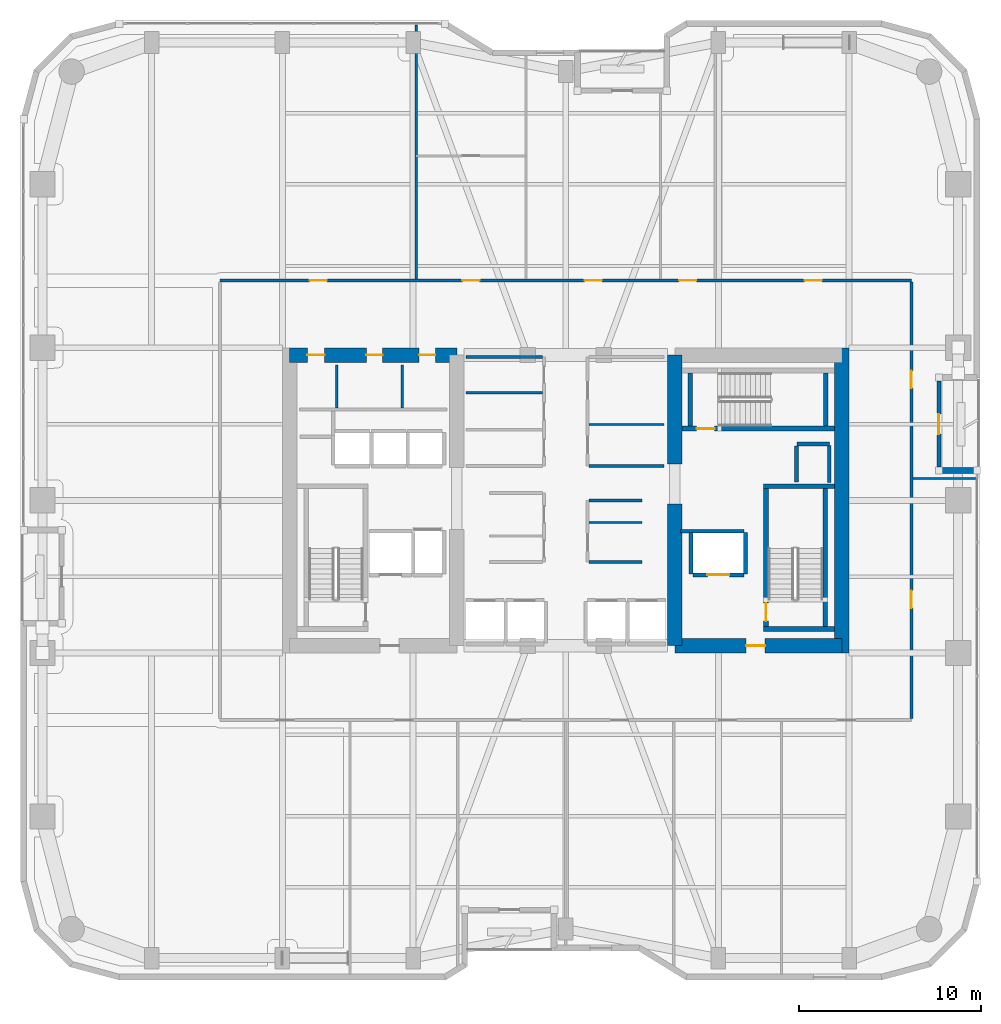
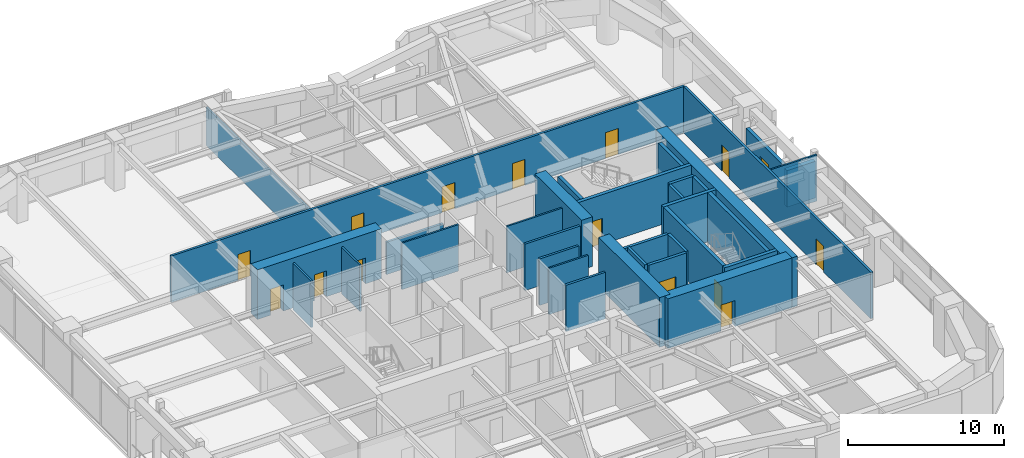
# One storey, part 20 of 24: 34 walls, 15 doors, 15 openings.
"""IFC4 building model written with IfcOpenShell, lengths in metres."""

from ifc_helpers import new_model, si_unit, direction, frame, frame_2d, origin, place, context, subcontext, project, spatial, rectangle, extrude, material, layer, layer_set, type_object, element, fill, save


model = new_model("IFC4")

# Units and contexts
model_context = context("Model", 3, precision=1e-05, world=origin(), true_north=direction((0.0, 1.0)))
body_context = subcontext(model_context, "Body", "Model", "MODEL_VIEW")
ifc_project = project(units=[si_unit("LENGTHUNIT", "METRE"), si_unit("AREAUNIT", "SQUARE_METRE"), si_unit("VOLUMEUNIT", "CUBIC_METRE"), si_unit("PLANEANGLEUNIT", "RADIAN"), si_unit("MASSUNIT", "GRAM", prefix="KILO")], contexts=[model_context])

# Site, building, storey
site_placement = place(None, origin())
site = spatial("IfcSite", under=ifc_project, at=site_placement, CompositionType="ELEMENT")
building_placement = place(site_placement, origin())
building = spatial("IfcBuilding", under=site, at=building_placement, Name="Kiyonajd Concourse Tower", CompositionType="ELEMENT")
storey_placement = place(building_placement, frame((0.0, 0.0, 105.300048828125)))
storey = spatial("IfcBuildingStorey", under=building, at=storey_placement, Name="L27", CompositionType="ELEMENT", Elevation=105.300048828125)

# Wall, openings, doors
ifc_material_1 = material(Name="Concrete C70/85", Category="concrete")
ifc_layer_1 = layer(ifc_material_1, 0.800048828125)
ifc_layer_set_1 = layer_set([ifc_layer_1], Name="Concrete C70/85")
wall_type_1 = type_object("IfcWallType", Name="WL-CORE-800", PredefinedType="SHEAR", material=ifc_layer_set_1)
wall_1_placement = place(storey_placement, frame((32.800048828125, 44.0, 0.0), z_axis=(0.0, 0.0, 1.0), x_axis=(1.0, 0.0, 0.0)))
wall_1 = element("IfcWall", 1, at=wall_1_placement, inside=storey, type_object=wall_type_1, Name="L27 West Core North Shear Wall", PredefinedType="SHEAR", context=body_context, shape_type="SweptSolid", body=[
    extrude(rectangle(XDim=9.199951171875, YDim=0.800048828125, at=frame_2d((4.60009765625, 0.0))), origin(), (0.0, 0.0, 1.0), 3.89990234375),
])
opening_1_placement = place(wall_1_placement, frame((0.97509765625, 0.0, 0.0)))
opening_1 = element("IfcOpeningElement", 2, at=opening_1_placement, cuts=wall_1, Name="Opening DI1", PredefinedType="OPENING", context=body_context, shape_type="SweptSolid", body=[
    extrude(rectangle(XDim=0.949951171875, YDim=2.0400390625, at=frame_2d((0.47509765625, 1.02001953125))), frame((0.0, 0.409912109375, 0.0), z_axis=(0.0, -1.0, 0.0), x_axis=(1.0, 0.0, 0.0)), (0.0, 0.0, 1.0), 0.820068359375),
])
opening_2_placement = place(wall_1_placement, frame((4.22509765625, 0.0, 0.0)))
opening_2 = element("IfcOpeningElement", 3, at=opening_2_placement, cuts=wall_1, Name="Opening DI2", PredefinedType="OPENING", context=body_context, shape_type="SweptSolid", body=[
    extrude(rectangle(XDim=0.89990234375, YDim=2.02001953125, at=frame_2d((0.449951171875, 1.010009765625))), frame((0.0, 0.409912109375, 0.0), z_axis=(0.0, -1.0, 0.0), x_axis=(1.0, 0.0, 0.0)), (0.0, 0.0, 1.0), 0.820068359375),
])
opening_3_placement = place(wall_1_placement, frame((7.125, 0.0, 0.0)))
opening_3 = element("IfcOpeningElement", 4, at=opening_3_placement, cuts=wall_1, Name="Opening DI2", PredefinedType="OPENING", context=body_context, shape_type="SweptSolid", body=[
    extrude(rectangle(XDim=0.89990234375, YDim=2.02001953125, at=frame_2d((0.449951171875, 1.010009765625))), frame((0.0, 0.409912109375, 0.0), z_axis=(0.0, -1.0, 0.0), x_axis=(1.0, 0.0, 0.0)), (0.0, 0.0, 1.0), 0.820068359375),
])
ifc_material_2 = material(Name="Natural Oak Acoustic Timber Veneer", Category="wood")
door_type_1 = type_object("IfcDoorType", Name="DR-INT-900", OperationType="NOTDEFINED", PredefinedType="DOOR", material=ifc_material_2)
door_1_placement = place(opening_2_placement, origin())
door_1 = element("IfcDoor", 5, at=door_1_placement, inside=storey, type_object=door_type_1, Name="L27 Male Restroom Door", OperationType="SINGLE_SWING_RIGHT", OverallHeight=2.02001953125, OverallWidth=0.89990234375, PredefinedType="DOOR", context=body_context, shape_type="SweptSolid", body=[
    extrude(rectangle(XDim=0.89990234375, YDim=2.02001953125, at=frame_2d((0.449951171875, 1.010009765625))), frame((0.0, 0.02490234375, 0.0), z_axis=(0.0, -1.0, 0.0), x_axis=(1.0, 0.0, 0.0)), (0.0, 0.0, 1.0), 0.050048828125),
])
fill(opening_2, door_1)
door_2_placement = place(opening_3_placement, origin())
door_2 = element("IfcDoor", 6, at=door_2_placement, inside=storey, type_object=door_type_1, Name="L27 Female Restroom Door", OperationType="SINGLE_SWING_LEFT", OverallHeight=2.02001953125, OverallWidth=0.89990234375, PredefinedType="DOOR", context=body_context, shape_type="SweptSolid", body=[
    extrude(rectangle(XDim=0.89990234375, YDim=2.02001953125, at=frame_2d((0.449951171875, 1.010009765625))), frame((0.0, 0.02490234375, 0.0), z_axis=(0.0, -1.0, 0.0), x_axis=(1.0, 0.0, 0.0)), (0.0, 0.0, 1.0), 0.050048828125),
])
fill(opening_3, door_2)
door_type_2 = type_object("IfcDoorType", Name="DR-INT-950", OperationType="NOTDEFINED", PredefinedType="DOOR", material=ifc_material_2)
door_3_placement = place(opening_1_placement, origin())
door_3 = element("IfcDoor", 7, at=door_3_placement, inside=storey, type_object=door_type_2, Name="L27 Single User Accessible WC Door", OperationType="SINGLE_SWING_LEFT", OverallHeight=2.0400390625, OverallWidth=0.949951171875, PredefinedType="DOOR", context=body_context, shape_type="SweptSolid", body=[
    extrude(rectangle(XDim=0.949951171875, YDim=2.0400390625, at=frame_2d((0.47509765625, 1.02001953125))), frame((0.0, 0.02490234375, 0.0), z_axis=(0.0, -1.0, 0.0), x_axis=(1.0, 0.0, 0.0)), (0.0, 0.0, 1.0), 0.050048828125),
])
fill(opening_1, door_3)

# Walls
wall_2_placement = place(storey_placement, frame((54.0, 28.0, 0.0), z_axis=(0.0, 0.0, 1.0), x_axis=(0.0, 1.0, 0.0)))
element("IfcWall", 8, at=wall_2_placement, inside=storey, type_object=wall_type_1, Name="L27 East Core Inner South Shear Wall", PredefinedType="SHEAR", context=body_context, shape_type="SweptSolid", body=[
    extrude(rectangle(XDim=7.800048828125, YDim=0.800048828125, at=frame_2d((3.89990234375, 0.0))), origin(), (0.0, 0.0, 1.0), 3.89990234375),
])
wall_3_placement = place(storey_placement, frame((54.0, 38.0, 0.0), z_axis=(0.0, 0.0, 1.0), x_axis=(0.0, 1.0, 0.0)))
element("IfcWall", 9, at=wall_3_placement, inside=storey, type_object=wall_type_1, Name="L27 East Core Inner North Shear Wall", PredefinedType="SHEAR", context=body_context, shape_type="SweptSolid", body=[
    extrude(rectangle(XDim=6.0, YDim=0.800048828125, at=frame_2d((3.0, 0.0))), origin(), (0.0, 0.0, 1.0), 3.89990234375),
])
wall_4_placement = place(storey_placement, frame((63.199951171875, 27.60009765625, 0.0), z_axis=(0.0, 0.0, 1.0), x_axis=(0.0, 1.0, 0.0)))
element("IfcWall", 10, at=wall_4_placement, inside=storey, type_object=wall_type_1, Name="L27 East Core Outer Shear Wall", PredefinedType="SHEAR", context=body_context, shape_type="SweptSolid", body=[
    extrude(rectangle(XDim=16.7998046875, YDim=0.800048828125, at=frame_2d((8.39990234375, 0.0))), origin(), (0.0, 0.0, 1.0), 3.89990234375),
])

# Wall, opening, door
wall_5_placement = place(storey_placement, frame((54.0, 28.0, 0.0), z_axis=(0.0, 0.0, 1.0), x_axis=(1.0, 0.0, 0.0)))
wall_5 = element("IfcWall", 11, at=wall_5_placement, inside=storey, type_object=wall_type_1, Name="L27 East Core South Shear Wall", PredefinedType="SHEAR", context=body_context, shape_type="SweptSolid", body=[
    extrude(rectangle(XDim=9.199951171875, YDim=0.800048828125, at=frame_2d((4.60009765625, 0.0))), origin(), (0.0, 0.0, 1.0), 3.89990234375),
])
opening_4_placement = place(wall_5_placement, frame((3.925048828125, 0.0, 0.0)))
opening_4 = element("IfcOpeningElement", 12, at=opening_4_placement, cuts=wall_5, Name="Opening DF5", PredefinedType="OPENING", context=body_context, shape_type="SweptSolid", body=[
    extrude(rectangle(XDim=1.050048828125, YDim=2.0400390625, at=frame_2d((0.52490234375, 1.02001953125))), frame((0.0, 0.409912109375, 0.0), z_axis=(0.0, -1.0, 0.0), x_axis=(1.0, 0.0, 0.0)), (0.0, 0.0, 1.0), 0.820068359375),
])
ifc_material_3 = material(Name="Brushed Stainless Steel Cab Assembly", Category="steel")
door_type_3 = type_object("IfcDoorType", Name="DR-FD45-1050", OperationType="NOTDEFINED", PredefinedType="DOOR", material=ifc_material_3)
door_4_placement = place(opening_4_placement, origin())
door_4 = element("IfcDoor", 13, at=door_4_placement, inside=storey, type_object=door_type_3, Name="L27 Firefighting Lift Lobby E Smoke Door", OperationType="SINGLE_SWING_RIGHT", OverallHeight=2.0400390625, OverallWidth=1.050048828125, PredefinedType="DOOR", context=body_context, shape_type="SweptSolid", body=[
    extrude(rectangle(XDim=1.050048828125, YDim=2.0400390625, at=frame_2d((0.52490234375, 1.02001953125))), frame((0.0, 0.02490234375, 0.0), z_axis=(0.0, -1.0, 0.0), x_axis=(1.0, 0.0, 0.0)), (0.0, 0.0, 1.0), 0.050048828125),
])
fill(opening_4, door_4)

# Wall
ifc_material_4 = material(Name="Precast concrete C50/60", Category="concrete")
ifc_layer_2 = layer(ifc_material_4, 0.320068359375)
ifc_layer_set_2 = layer_set([ifc_layer_2], Name="Precast concrete C50/60")
wall_type_2 = type_object("IfcWallType", Name="WL-EXT-320", PredefinedType="SOLIDWALL", material=ifc_layer_set_2)
wall_6_placement = place(storey_placement, frame((68.5400390625, 37.639892578125, 0.0), z_axis=(0.0, 0.0, 1.0), x_axis=(1.0, 0.0, 0.0)))
element("IfcWall", 14, at=wall_6_placement, inside=storey, type_object=wall_type_2, Name="L27 Exterior Concrete Frame Wall 23", PredefinedType="SOLIDWALL", context=body_context, shape_type="SweptSolid", body=[
    extrude(rectangle(XDim=2.099853515625, YDim=0.320068359375, at=frame_2d((1.0498046875, 0.0))), origin(), (0.0, 0.0, 1.0), 2.875),
])

# Wall, opening, door
ifc_layer_3 = layer(ifc_material_4, 0.239990234375)
ifc_layer_set_3 = layer_set([ifc_layer_3], Name="Precast concrete C50/60")
wall_type_3 = type_object("IfcWallType", Name="WL-LOG-240", PredefinedType="SOLIDWALL", material=ifc_layer_set_3)
wall_7_placement = place(storey_placement, frame((68.5400390625, 42.56494140625, 0.0), z_axis=(0.0, 0.0, 1.0), x_axis=(0.0, -1.0, 0.0)))
wall_7 = element("IfcWall", 15, at=wall_7_placement, inside=storey, type_object=wall_type_3, Name="L27 Recessed Loggia Thermal Wall LOG-E", PredefinedType="SOLIDWALL", context=body_context, shape_type="SweptSolid", body=[
    extrude(rectangle(XDim=4.72998046875, YDim=0.239990234375, at=frame_2d((2.364990234375, 0.0))), origin(), (0.0, 0.0, 1.0), 3.161865234375),
])
opening_5_placement = place(wall_7_placement, frame((1.81494140625, 0.0, 0.0)))
opening_5 = element("IfcOpeningElement", 16, at=opening_5_placement, cuts=wall_7, Name="Opening DL2", PredefinedType="OPENING", context=body_context, shape_type="SweptSolid", body=[
    extrude(rectangle(XDim=1.10009765625, YDim=2.0400390625, at=frame_2d((0.550048828125, 1.02001953125))), frame((0.0, 0.1298828125, 0.0), z_axis=(0.0, -1.0, 0.0), x_axis=(1.0, 0.0, 0.0)), (0.0, 0.0, 1.0), 0.260009765625),
])
ifc_material_5 = material(Name="Thermally Broken Anodised Aluminium", Category="aluminium")
door_type_4 = type_object("IfcDoorType", Name="DR-LOG-1100", OperationType="NOTDEFINED", PredefinedType="DOOR", material=ifc_material_5)
door_5_placement = place(opening_5_placement, origin())
door_5 = element("IfcDoor", 17, at=door_5_placement, inside=storey, type_object=door_type_4, Name="L27 Engawa Loggia Access Door LOG-E", OperationType="SINGLE_SWING_LEFT", OverallHeight=2.0400390625, OverallWidth=1.10009765625, PredefinedType="DOOR", context=body_context, shape_type="SweptSolid", body=[
    extrude(rectangle(XDim=1.10009765625, YDim=2.0400390625, at=frame_2d((0.550048828125, 1.02001953125))), frame((0.0, 0.02490234375, 0.0), z_axis=(0.0, -1.0, 0.0), x_axis=(1.0, 0.0, 0.0)), (0.0, 0.0, 1.0), 0.050048828125),
])
fill(opening_5, door_5)

# Walls
ifc_material_6 = material(Name="Gypsum Board on Cold-Formed Steel Stud", Category="steel")
ifc_layer_4 = layer(ifc_material_6, 0.125)
ifc_layer_set_4 = layer_set([ifc_layer_4], Name="Gypsum Board on Cold-Formed Steel Stud")
wall_type_4 = type_object("IfcWallType", Name="WL-PART-125", PredefinedType="PARTITIONING", material=ifc_layer_set_4)
for number, where, z_axis, x_axis, name in (
    (18, (35.39990234375, 41.094970703125, 0.0), (0.0, 0.0, 1.0), (0.0, 1.0, 0.0), "L27 Interior Partition Wall"),
    (19, (39.0, 41.094970703125, 0.0), (0.0, 0.0, 1.0), (0.0, 1.0, 0.0), "L27 Interior Partition Wall"),
):
    element("IfcWall", number, at=place(storey_placement, frame(where, z_axis=z_axis, x_axis=x_axis)), inside=storey, type_object=wall_type_4, Name=name, PredefinedType="PARTITIONING", context=body_context, shape_type="SweptSolid", body=[
        extrude(rectangle(XDim=2.35498046875, YDim=0.125, at=frame_2d((1.177490234375, 0.0))), origin(), (0.0, 0.0, 1.0), 3.639892578125),
    ])
wall_8_placement = place(storey_placement, frame((49.287109375, 34.77587890625, 0.0), z_axis=(0.0, 0.0, 1.0), x_axis=(1.0, 0.0, 0.0)))
element("IfcWall", 20, at=wall_8_placement, inside=storey, type_object=wall_type_4, Name="L27 Interior Partition Wall", PredefinedType="PARTITIONING", context=body_context, shape_type="SweptSolid", body=[
    extrude(rectangle(XDim=2.912841796875, YDim=0.125, at=frame_2d((1.45654296875, 0.0))), origin(), (0.0, 0.0, 1.0), 3.639892578125),
])
wall_9_placement = place(storey_placement, frame((42.5, 41.919921875, 0.0), z_axis=(0.0, 0.0, 1.0), x_axis=(1.0, 0.0, 0.0)))
element("IfcWall", 21, at=wall_9_placement, inside=storey, type_object=wall_type_4, Name="L27 Interior Partition Wall", PredefinedType="PARTITIONING", context=body_context, shape_type="SweptSolid", body=[
    extrude(rectangle(XDim=4.212890625, YDim=0.125, at=frame_2d((2.1064453125, 0.0))), origin(), (0.0, 0.0, 1.0), 3.639892578125),
])
wall_10_placement = place(storey_placement, frame((49.287109375, 40.179931640625, 0.0), z_axis=(0.0, 0.0, 1.0), x_axis=(1.0, 0.0, 0.0)))
element("IfcWall", 22, at=wall_10_placement, inside=storey, type_object=wall_type_4, Name="L27 Interior Partition Wall", PredefinedType="PARTITIONING", context=body_context, shape_type="SweptSolid", body=[
    extrude(rectangle(XDim=4.11279296875, YDim=0.125, at=frame_2d((2.056396484375, 0.0))), origin(), (0.0, 0.0, 1.0), 3.639892578125),
])
wall_11_placement = place(storey_placement, frame((39.77001953125, 48.18701171875, 0.0), z_axis=(0.0, 0.0, 1.0), x_axis=(0.0, 1.0, 0.0)))
element("IfcWall", 23, at=wall_11_placement, inside=storey, type_object=wall_type_4, Name="L27 Interior Partition Wall", PredefinedType="PARTITIONING", context=body_context, shape_type="SweptSolid", body=[
    extrude(rectangle(XDim=13.968017578125, YDim=0.125, at=frame_2d((6.98388671875, 0.0))), origin(), (0.0, 0.0, 1.0), 3.0029296875),
])
wall_12_placement = place(storey_placement, frame((67.112060546875, 37.199951171875, 0.0), z_axis=(0.0, 0.0, 1.0), x_axis=(1.0, 0.0, 0.0)))
element("IfcWall", 24, at=wall_12_placement, inside=storey, type_object=wall_type_4, Name="L27 Interior Partition Wall", PredefinedType="PARTITIONING", context=body_context, shape_type="SweptSolid", body=[
    extrude(rectangle(XDim=3.44287109375, YDim=0.125, at=frame_2d((1.721435546875, 0.0))), origin(), (0.0, 0.0, 1.0), 3.639892578125),
])
ifc_layer_5 = layer(ifc_material_6, 0.2099609375)
ifc_layer_set_5 = layer_set([ifc_layer_5], Name="Gypsum Board on Cold-Formed Steel Stud")
wall_type_5 = type_object("IfcWallType", Name="WL-SHAFT-210", PredefinedType="PARTITIONING", material=ifc_layer_set_5)
wall_13_placement = place(storey_placement, frame((60.719970703125, 39.10009765625, 0.0), z_axis=(0.0, 0.0, 1.0), x_axis=(1.0, 0.0, 0.0)))
element("IfcWall", 25, at=wall_13_placement, inside=storey, type_object=wall_type_5, Name="L27 Shaft Enclosure Wall", PredefinedType="PARTITIONING", context=body_context, shape_type="SweptSolid", body=[
    extrude(rectangle(XDim=1.800048828125, YDim=0.2099609375, at=frame_2d((0.89990234375, 0.0))), origin(), (0.0, 0.0, 1.0), 3.639892578125),
])
wall_14_placement = place(storey_placement, frame((60.699951171875, 37.02001953125, 0.0), z_axis=(0.0, 0.0, 1.0), x_axis=(0.0, 1.0, 0.0)))
element("IfcWall", 26, at=wall_14_placement, inside=storey, type_object=wall_type_5, Name="L27 Shaft Enclosure Wall", PredefinedType="PARTITIONING", context=body_context, shape_type="SweptSolid", body=[
    extrude(rectangle(XDim=1.9599609375, YDim=0.2099609375, at=frame_2d((0.97998046875, 0.0))), origin(), (0.0, 0.0, 1.0), 3.639892578125),
])
wall_15_placement = place(storey_placement, frame((62.5, 36.97998046875, 0.0), z_axis=(0.0, 0.0, 1.0), x_axis=(0.0, 1.0, 0.0)))
element("IfcWall", 27, at=wall_15_placement, inside=storey, type_object=wall_type_5, Name="L27 Shaft Enclosure Wall", PredefinedType="PARTITIONING", context=body_context, shape_type="SweptSolid", body=[
    extrude(rectangle(XDim=2.0400390625, YDim=0.2099609375, at=frame_2d((1.02001953125, 0.0))), origin(), (0.0, 0.0, 1.0), 3.639892578125),
])

# Wall, opening, door
wall_16_placement = place(storey_placement, frame((55.0, 31.89990234375, 0.0), z_axis=(0.0, 0.0, 1.0), x_axis=(1.0, 0.0, 0.0)))
wall_16 = element("IfcWall", 28, at=wall_16_placement, inside=storey, type_object=wall_type_5, Name="L27 Shaft Enclosure Wall", PredefinedType="PARTITIONING", context=body_context, shape_type="SweptSolid", body=[
    extrude(rectangle(XDim=2.800048828125, YDim=0.2099609375, at=frame_2d((1.39990234375, 0.0))), origin(), (0.0, 0.0, 1.0), 3.639892578125),
])
opening_6_placement = place(wall_16_placement, frame((0.800048828125, 0.0, 0.0)))
opening_6 = element("IfcOpeningElement", 29, at=opening_6_placement, cuts=wall_16, Name="Opening LD2", PredefinedType="OPENING", context=body_context, shape_type="SweptSolid", body=[
    extrude(rectangle(XDim=1.199951171875, YDim=2.0400390625, at=frame_2d((0.60009765625, 1.02001953125))), frame((0.0, 0.114990234375, 0.0), z_axis=(0.0, -1.0, 0.0), x_axis=(1.0, 0.0, 0.0)), (0.0, 0.0, 1.0), 0.22998046875),
])
door_type_5 = type_object("IfcDoorType", Name="DR-LD-1200", OperationType="DOUBLE_DOOR_SLIDING", PredefinedType="DOOR", material=ifc_material_3)
door_6_placement = place(opening_6_placement, origin())
door_6 = element("IfcDoor", 30, at=door_6_placement, inside=storey, type_object=door_type_5, Name="L27 Lift FFL2 Sliding Landing Door", OperationType="DOUBLE_DOOR_SLIDING", OverallHeight=2.0400390625, OverallWidth=1.199951171875, PredefinedType="DOOR", context=body_context, shape_type="SweptSolid", body=[
    extrude(rectangle(XDim=1.199951171875, YDim=2.0400390625, at=frame_2d((0.60009765625, 1.02001953125))), frame((0.0, 0.02490234375, 0.0), z_axis=(0.0, -1.0, 0.0), x_axis=(1.0, 0.0, 0.0)), (0.0, 0.0, 1.0), 0.050048828125),
])
fill(opening_6, door_6)

# Walls
wall_17_placement = place(storey_placement, frame((54.320068359375, 34.300048828125, 0.0), z_axis=(0.0, 0.0, 1.0), x_axis=(1.0, 0.0, 0.0)))
element("IfcWall", 31, at=wall_17_placement, inside=storey, type_object=wall_type_5, Name="L27 Shaft Enclosure Wall", PredefinedType="PARTITIONING", context=body_context, shape_type="SweptSolid", body=[
    extrude(rectangle(XDim=3.47998046875, YDim=0.2099609375, at=frame_2d((1.739990234375, 0.0))), origin(), (0.0, 0.0, 1.0), 3.639892578125),
])
for number, where, z_axis, x_axis, name in (
    (32, (54.89990234375, 31.9599609375, 0.0), (0.0, 0.0, 1.0), (0.0, 1.0, 0.0), "L27 Shaft Enclosure Wall"),
    (33, (57.89990234375, 31.9599609375, 0.0), (0.0, 0.0, 1.0), (0.0, 1.0, 0.0), "L27 Shaft Enclosure Wall"),
):
    element("IfcWall", number, at=place(storey_placement, frame(where, z_axis=z_axis, x_axis=x_axis)), inside=storey, type_object=wall_type_5, Name=name, PredefinedType="PARTITIONING", context=body_context, shape_type="SweptSolid", body=[
        extrude(rectangle(XDim=2.280029296875, YDim=0.2099609375, at=frame_2d((1.14013671875, 0.0))), origin(), (0.0, 0.0, 1.0), 3.639892578125),
    ])
ifc_layer_6 = layer(ifc_material_6, 0.169921875)
ifc_layer_set_6 = layer_set([ifc_layer_6], Name="Gypsum Board on Cold-Formed Steel Stud")
wall_type_6 = type_object("IfcWallType", Name="WL-SMK-170", PredefinedType="PARTITIONING", material=ifc_layer_set_6)
for number, where, z_axis, x_axis, name in (
    (34, (49.287109375, 32.60009765625, 0.0), (0.0, 0.0, 1.0), (1.0, 0.0, 0.0), "L27 Interior Partition Wall"),
    (35, (49.287109375, 36.0, 0.0), (0.0, 0.0, 1.0), (1.0, 0.0, 0.0), "L27 Interior Partition Wall"),
):
    element("IfcWall", number, at=place(storey_placement, frame(where, z_axis=z_axis, x_axis=x_axis)), inside=storey, type_object=wall_type_6, Name=name, PredefinedType="PARTITIONING", context=body_context, shape_type="SweptSolid", body=[
        extrude(rectangle(XDim=2.912841796875, YDim=0.169921875, at=frame_2d((1.45654296875, 0.0))), origin(), (0.0, 0.0, 1.0), 3.639892578125),
    ])
wall_18_placement = place(storey_placement, frame((42.5, 43.89990234375, 0.0), z_axis=(0.0, 0.0, 1.0), x_axis=(1.0, 0.0, 0.0)))
element("IfcWall", 36, at=wall_18_placement, inside=storey, type_object=wall_type_6, Name="L27 Interior Partition Wall", PredefinedType="PARTITIONING", context=body_context, shape_type="SweptSolid", body=[
    extrude(rectangle(XDim=4.212890625, YDim=0.169921875, at=frame_2d((2.1064453125, 0.0))), origin(), (0.0, 0.0, 1.0), 2.52490234375),
])
wall_19_placement = place(storey_placement, frame((49.287109375, 37.89990234375, 0.0), z_axis=(0.0, 0.0, 1.0), x_axis=(1.0, 0.0, 0.0)))
element("IfcWall", 37, at=wall_19_placement, inside=storey, type_object=wall_type_6, Name="L27 Interior Partition Wall", PredefinedType="PARTITIONING", context=body_context, shape_type="SweptSolid", body=[
    extrude(rectangle(XDim=4.11279296875, YDim=0.169921875, at=frame_2d((2.056396484375, 0.0))), origin(), (0.0, 0.0, 1.0), 3.639892578125),
])

# Wall, openings, doors
wall_20_placement = place(storey_placement, frame((28.97509765625, 48.10009765625, 0.0), z_axis=(0.0, 0.0, 1.0), x_axis=(1.0, 0.0, 0.0)))
wall_20 = element("IfcWall", 38, at=wall_20_placement, inside=storey, type_object=wall_type_6, Name="L27 Interior Partition Wall", PredefinedType="PARTITIONING", context=body_context, shape_type="SweptSolid", body=[
    extrude(rectangle(XDim=38.0498046875, YDim=0.169921875, at=frame_2d((19.02490234375, 0.0))), origin(), (0.0, 0.0, 1.0), 3.639892578125),
])
opening_7_placement = place(wall_20_placement, frame((4.923095703125, 0.0, 0.0)))
opening_7 = element("IfcOpeningElement", 39, at=opening_7_placement, cuts=wall_20, Name="Opening DI1", PredefinedType="OPENING", context=body_context, shape_type="SweptSolid", body=[
    extrude(rectangle(XDim=0.949951171875, YDim=2.0400390625, at=frame_2d((0.47509765625, 1.02001953125))), frame((0.0, 0.094970703125, 0.0), z_axis=(0.0, -1.0, 0.0), x_axis=(1.0, 0.0, 0.0)), (0.0, 0.0, 1.0), 0.18994140625),
])
opening_8_placement = place(wall_20_placement, frame((13.340087890625, 0.0, 0.0)))
opening_8 = element("IfcOpeningElement", 40, at=opening_8_placement, cuts=wall_20, Name="Opening DI1", PredefinedType="OPENING", context=body_context, shape_type="SweptSolid", body=[
    extrude(rectangle(XDim=0.949951171875, YDim=2.0400390625, at=frame_2d((0.47509765625, 1.02001953125))), frame((0.0, 0.094970703125, 0.0), z_axis=(0.0, -1.0, 0.0), x_axis=(1.0, 0.0, 0.0)), (0.0, 0.0, 1.0), 0.18994140625),
])
opening_9_placement = place(wall_20_placement, frame((20.06005859375, 0.0, 0.0)))
opening_9 = element("IfcOpeningElement", 41, at=opening_9_placement, cuts=wall_20, Name="Opening DI1", PredefinedType="OPENING", context=body_context, shape_type="SweptSolid", body=[
    extrude(rectangle(XDim=0.949951171875, YDim=2.0400390625, at=frame_2d((0.47509765625, 1.02001953125))), frame((0.0, 0.094970703125, 0.0), z_axis=(0.0, -1.0, 0.0), x_axis=(1.0, 0.0, 0.0)), (0.0, 0.0, 1.0), 0.18994140625),
])
opening_10_placement = place(wall_20_placement, frame((25.27001953125, 0.0, 0.0)))
opening_10 = element("IfcOpeningElement", 42, at=opening_10_placement, cuts=wall_20, Name="Opening DI1", PredefinedType="OPENING", context=body_context, shape_type="SweptSolid", body=[
    extrude(rectangle(XDim=0.949951171875, YDim=2.0400390625, at=frame_2d((0.47509765625, 1.02001953125))), frame((0.0, 0.094970703125, 0.0), z_axis=(0.0, -1.0, 0.0), x_axis=(1.0, 0.0, 0.0)), (0.0, 0.0, 1.0), 0.18994140625),
])
opening_11_placement = place(wall_20_placement, frame((32.177978515625, 0.0, 0.0)))
opening_11 = element("IfcOpeningElement", 43, at=opening_11_placement, cuts=wall_20, Name="Opening DI1", PredefinedType="OPENING", context=body_context, shape_type="SweptSolid", body=[
    extrude(rectangle(XDim=0.949951171875, YDim=2.0400390625, at=frame_2d((0.47509765625, 1.02001953125))), frame((0.0, 0.094970703125, 0.0), z_axis=(0.0, -1.0, 0.0), x_axis=(1.0, 0.0, 0.0)), (0.0, 0.0, 1.0), 0.18994140625),
])
door_7_placement = place(opening_7_placement, origin())
door_7 = element("IfcDoor", 44, at=door_7_placement, inside=storey, type_object=door_type_2, Name="L27 Interior Door", OperationType="SINGLE_SWING_RIGHT", OverallHeight=2.0400390625, OverallWidth=0.949951171875, PredefinedType="DOOR", context=body_context, shape_type="SweptSolid", body=[
    extrude(rectangle(XDim=0.949951171875, YDim=2.0400390625, at=frame_2d((0.47509765625, 1.02001953125))), frame((0.0, 0.02490234375, 0.0), z_axis=(0.0, -1.0, 0.0), x_axis=(1.0, 0.0, 0.0)), (0.0, 0.0, 1.0), 0.050048828125),
])
fill(opening_7, door_7)
door_8_placement = place(opening_8_placement, origin())
door_8 = element("IfcDoor", 45, at=door_8_placement, inside=storey, type_object=door_type_2, Name="L27 Interior Door", OperationType="SINGLE_SWING_RIGHT", OverallHeight=2.0400390625, OverallWidth=0.949951171875, PredefinedType="DOOR", context=body_context, shape_type="SweptSolid", body=[
    extrude(rectangle(XDim=0.949951171875, YDim=2.0400390625, at=frame_2d((0.47509765625, 1.02001953125))), frame((0.0, 0.02490234375, 0.0), z_axis=(0.0, -1.0, 0.0), x_axis=(1.0, 0.0, 0.0)), (0.0, 0.0, 1.0), 0.050048828125),
])
fill(opening_8, door_8)
door_9_placement = place(opening_9_placement, origin())
door_9 = element("IfcDoor", 46, at=door_9_placement, inside=storey, type_object=door_type_2, Name="L27 Interior Door", OperationType="SINGLE_SWING_LEFT", OverallHeight=2.0400390625, OverallWidth=0.949951171875, PredefinedType="DOOR", context=body_context, shape_type="SweptSolid", body=[
    extrude(rectangle(XDim=0.949951171875, YDim=2.0400390625, at=frame_2d((0.47509765625, 1.02001953125))), frame((0.0, 0.02490234375, 0.0), z_axis=(0.0, -1.0, 0.0), x_axis=(1.0, 0.0, 0.0)), (0.0, 0.0, 1.0), 0.050048828125),
])
fill(opening_9, door_9)
door_10_placement = place(opening_10_placement, origin())
door_10 = element("IfcDoor", 47, at=door_10_placement, inside=storey, type_object=door_type_2, Name="L27 Interior Door", OperationType="SINGLE_SWING_RIGHT", OverallHeight=2.0400390625, OverallWidth=0.949951171875, PredefinedType="DOOR", context=body_context, shape_type="SweptSolid", body=[
    extrude(rectangle(XDim=0.949951171875, YDim=2.0400390625, at=frame_2d((0.47509765625, 1.02001953125))), frame((0.0, 0.02490234375, 0.0), z_axis=(0.0, -1.0, 0.0), x_axis=(1.0, 0.0, 0.0)), (0.0, 0.0, 1.0), 0.050048828125),
])
fill(opening_10, door_10)
door_11_placement = place(opening_11_placement, origin())
door_11 = element("IfcDoor", 48, at=door_11_placement, inside=storey, type_object=door_type_2, Name="L27 Interior Door", OperationType="SINGLE_SWING_LEFT", OverallHeight=2.0400390625, OverallWidth=0.949951171875, PredefinedType="DOOR", context=body_context, shape_type="SweptSolid", body=[
    extrude(rectangle(XDim=0.949951171875, YDim=2.0400390625, at=frame_2d((0.47509765625, 1.02001953125))), frame((0.0, 0.02490234375, 0.0), z_axis=(0.0, -1.0, 0.0), x_axis=(1.0, 0.0, 0.0)), (0.0, 0.0, 1.0), 0.050048828125),
])
fill(opening_11, door_11)

wall_21_placement = place(storey_placement, frame((67.02490234375, 23.987060546875, 0.0), z_axis=(0.0, 0.0, 1.0), x_axis=(0.0, 1.0, 0.0)))
wall_21 = element("IfcWall", 49, at=wall_21_placement, inside=storey, type_object=wall_type_6, Name="L27 Interior Partition Wall", PredefinedType="PARTITIONING", context=body_context, shape_type="SweptSolid", body=[
    extrude(rectangle(XDim=24.02587890625, YDim=0.169921875, at=frame_2d((12.012939453125, 0.0))), origin(), (0.0, 0.0, 1.0), 3.639892578125),
])
opening_12_placement = place(wall_21_placement, frame((6.087890625, 0.0, 0.0)))
opening_12 = element("IfcOpeningElement", 50, at=opening_12_placement, cuts=wall_21, Name="Opening DI1", PredefinedType="OPENING", context=body_context, shape_type="SweptSolid", body=[
    extrude(rectangle(XDim=0.949951171875, YDim=2.0400390625, at=frame_2d((0.47509765625, 1.02001953125))), frame((0.0, 0.094970703125, 0.0), z_axis=(0.0, -1.0, 0.0), x_axis=(1.0, 0.0, 0.0)), (0.0, 0.0, 1.0), 0.18994140625),
])
opening_13_placement = place(wall_21_placement, frame((18.18798828125, 0.0, 0.0)))
opening_13 = element("IfcOpeningElement", 51, at=opening_13_placement, cuts=wall_21, Name="Opening DI1", PredefinedType="OPENING", context=body_context, shape_type="SweptSolid", body=[
    extrude(rectangle(XDim=0.949951171875, YDim=2.0400390625, at=frame_2d((0.47509765625, 1.02001953125))), frame((0.0, 0.094970703125, 0.0), z_axis=(0.0, -1.0, 0.0), x_axis=(1.0, 0.0, 0.0)), (0.0, 0.0, 1.0), 0.18994140625),
])
door_12_placement = place(opening_12_placement, origin())
door_12 = element("IfcDoor", 52, at=door_12_placement, inside=storey, type_object=door_type_2, Name="L27 Interior Door", OperationType="SINGLE_SWING_LEFT", OverallHeight=2.0400390625, OverallWidth=0.949951171875, PredefinedType="DOOR", context=body_context, shape_type="SweptSolid", body=[
    extrude(rectangle(XDim=0.949951171875, YDim=2.0400390625, at=frame_2d((0.47509765625, 1.02001953125))), frame((0.0, 0.02490234375, 0.0), z_axis=(0.0, -1.0, 0.0), x_axis=(1.0, 0.0, 0.0)), (0.0, 0.0, 1.0), 0.050048828125),
])
fill(opening_12, door_12)
door_13_placement = place(opening_13_placement, origin())
door_13 = element("IfcDoor", 53, at=door_13_placement, inside=storey, type_object=door_type_2, Name="L27 Interior Door", OperationType="SINGLE_SWING_RIGHT", OverallHeight=2.0400390625, OverallWidth=0.949951171875, PredefinedType="DOOR", context=body_context, shape_type="SweptSolid", body=[
    extrude(rectangle(XDim=0.949951171875, YDim=2.0400390625, at=frame_2d((0.47509765625, 1.02001953125))), frame((0.0, 0.02490234375, 0.0), z_axis=(0.0, -1.0, 0.0), x_axis=(1.0, 0.0, 0.0)), (0.0, 0.0, 1.0), 0.050048828125),
])
fill(opening_13, door_13)

# Walls
ifc_material_7 = material(Name="Concrete C50/60", Category="concrete")
ifc_layer_7 = layer(ifc_material_7, 0.260009765625)
ifc_layer_set_7 = layer_set([ifc_layer_7], Name="Concrete C50/60")
wall_type_7 = type_object("IfcWallType", Name="WL-STAIR-260", PredefinedType="SHEAR", material=ifc_layer_set_7)
for number, where, z_axis, x_axis, name in (
    (54, (58.889892578125, 28.919921875, 0.0), (0.0, 0.0, 1.0), (1.0, 0.0, 0.0), "L27 Stair ST2 Structural South Wall"),
    (55, (58.889892578125, 36.780029296875, 0.0), (0.0, 0.0, 1.0), (1.0, 0.0, 0.0), "L27 Stair ST2 Structural North Wall"),
):
    element("IfcWall", number, at=place(storey_placement, frame(where, z_axis=z_axis, x_axis=x_axis)), inside=storey, type_object=wall_type_7, Name=name, PredefinedType="SHEAR", context=body_context, shape_type="SweptSolid", body=[
        extrude(rectangle(XDim=3.91015625, YDim=0.260009765625, at=frame_2d((1.955078125, 0.0))), origin(), (0.0, 0.0, 1.0), 3.89990234375),
    ])

# Wall, opening, door
wall_22_placement = place(storey_placement, frame((59.02001953125, 29.050048828125, 0.0), z_axis=(0.0, 0.0, 1.0), x_axis=(0.0, 1.0, 0.0)))
wall_22 = element("IfcWall", 56, at=wall_22_placement, inside=storey, type_object=wall_type_7, Name="L27 Stair ST2 Structural West Wall", PredefinedType="SHEAR", context=body_context, shape_type="SweptSolid", body=[
    extrude(rectangle(XDim=7.599853515625, YDim=0.260009765625, at=frame_2d((3.7998046875, 0.0))), origin(), (0.0, 0.0, 1.0), 3.89990234375),
])
opening_14_placement = place(wall_22_placement, frame((0.300048828125, 0.0, 0.0)))
opening_14 = element("IfcOpeningElement", 57, at=opening_14_placement, cuts=wall_22, Name="Opening DF1", PredefinedType="OPENING", context=body_context, shape_type="SweptSolid", body=[
    extrude(rectangle(XDim=1.0, YDim=2.0400390625, at=frame_2d((0.5, 1.02001953125))), frame((0.0, 0.139892578125, 0.0), z_axis=(0.0, -1.0, 0.0), x_axis=(1.0, 0.0, 0.0)), (0.0, 0.0, 1.0), 0.280029296875),
])
door_type_6 = type_object("IfcDoorType", Name="DR-FD90-1000", OperationType="NOTDEFINED", PredefinedType="DOOR", material=ifc_material_3)
door_14_placement = place(opening_14_placement, origin())
door_14 = element("IfcDoor", 58, at=door_14_placement, inside=storey, type_object=door_type_6, Name="L27 Stair ST2 FSAE Door", OperationType="SINGLE_SWING_RIGHT", OverallHeight=2.0400390625, OverallWidth=1.0, PredefinedType="DOOR", context=body_context, shape_type="SweptSolid", body=[
    extrude(rectangle(XDim=1.0, YDim=2.0400390625, at=frame_2d((0.5, 1.02001953125))), frame((0.0, 0.02490234375, 0.0), z_axis=(0.0, -1.0, 0.0), x_axis=(1.0, 0.0, 0.0)), (0.0, 0.0, 1.0), 0.050048828125),
])
fill(opening_14, door_14)

# Wall
wall_23_placement = place(storey_placement, frame((62.280029296875, 29.050048828125, 0.0), z_axis=(0.0, 0.0, 1.0), x_axis=(0.0, 1.0, 0.0)))
element("IfcWall", 59, at=wall_23_placement, inside=storey, type_object=wall_type_7, Name="L27 Stair ST2 Structural East Wall", PredefinedType="SHEAR", context=body_context, shape_type="SweptSolid", body=[
    extrude(rectangle(XDim=7.599853515625, YDim=0.260009765625, at=frame_2d((3.7998046875, 0.0))), origin(), (0.0, 0.0, 1.0), 3.89990234375),
])

# Wall, opening, door
wall_24_placement = place(storey_placement, frame((54.39990234375, 39.949951171875, 0.0), z_axis=(0.0, 0.0, 1.0), x_axis=(1.0, 0.0, 0.0)))
wall_24 = element("IfcWall", 60, at=wall_24_placement, inside=storey, type_object=wall_type_7, Name="L27 Stair ST3 Structural South Wall", PredefinedType="SHEAR", context=body_context, shape_type="SweptSolid", body=[
    extrude(rectangle(XDim=8.400146484375, YDim=0.260009765625, at=frame_2d((4.2001953125, 0.0))), origin(), (0.0, 0.0, 1.0), 3.89990234375),
])
opening_15_placement = place(wall_24_placement, frame((0.800048828125, 0.0, 0.0)))
opening_15 = element("IfcOpeningElement", 61, at=opening_15_placement, cuts=wall_24, Name="Opening DF1", PredefinedType="OPENING", context=body_context, shape_type="SweptSolid", body=[
    extrude(rectangle(XDim=1.0, YDim=2.0400390625, at=frame_2d((0.5, 1.02001953125))), frame((0.0, 0.139892578125, 0.0), z_axis=(0.0, -1.0, 0.0), x_axis=(1.0, 0.0, 0.0)), (0.0, 0.0, 1.0), 0.280029296875),
])
door_15_placement = place(opening_15_placement, origin())
door_15 = element("IfcDoor", 62, at=door_15_placement, inside=storey, type_object=door_type_6, Name="L27 Stair ST3 Enclosure Door", OperationType="SINGLE_SWING_LEFT", OverallHeight=2.0400390625, OverallWidth=1.0, PredefinedType="DOOR", context=body_context, shape_type="SweptSolid", body=[
    extrude(rectangle(XDim=1.0, YDim=2.0400390625, at=frame_2d((0.5, 1.02001953125))), frame((0.0, 0.02490234375, 0.0), z_axis=(0.0, -1.0, 0.0), x_axis=(1.0, 0.0, 0.0)), (0.0, 0.0, 1.0), 0.050048828125),
])
fill(opening_15, door_15)

# Walls
for number, where, z_axis, x_axis, name in (
    (63, (54.85009765625, 40.080078125, 0.0), (0.0, 0.0, 1.0), (0.0, 1.0, 0.0), "L27 Stair ST3 Structural West Wall"),
    (64, (62.31005859375, 40.080078125, 0.0), (0.0, 0.0, 1.0), (0.0, 1.0, 0.0), "L27 Stair ST3 Structural East Wall"),
):
    element("IfcWall", number, at=place(storey_placement, frame(where, z_axis=z_axis, x_axis=x_axis)), inside=storey, type_object=wall_type_7, Name=name, PredefinedType="SHEAR", context=body_context, shape_type="SweptSolid", body=[
        extrude(rectangle(XDim=2.93994140625, YDim=0.260009765625, at=frame_2d((1.469970703125, 0.0))), origin(), (0.0, 0.0, 1.0), 3.89990234375),
    ])

save(model, "model.ifc")
